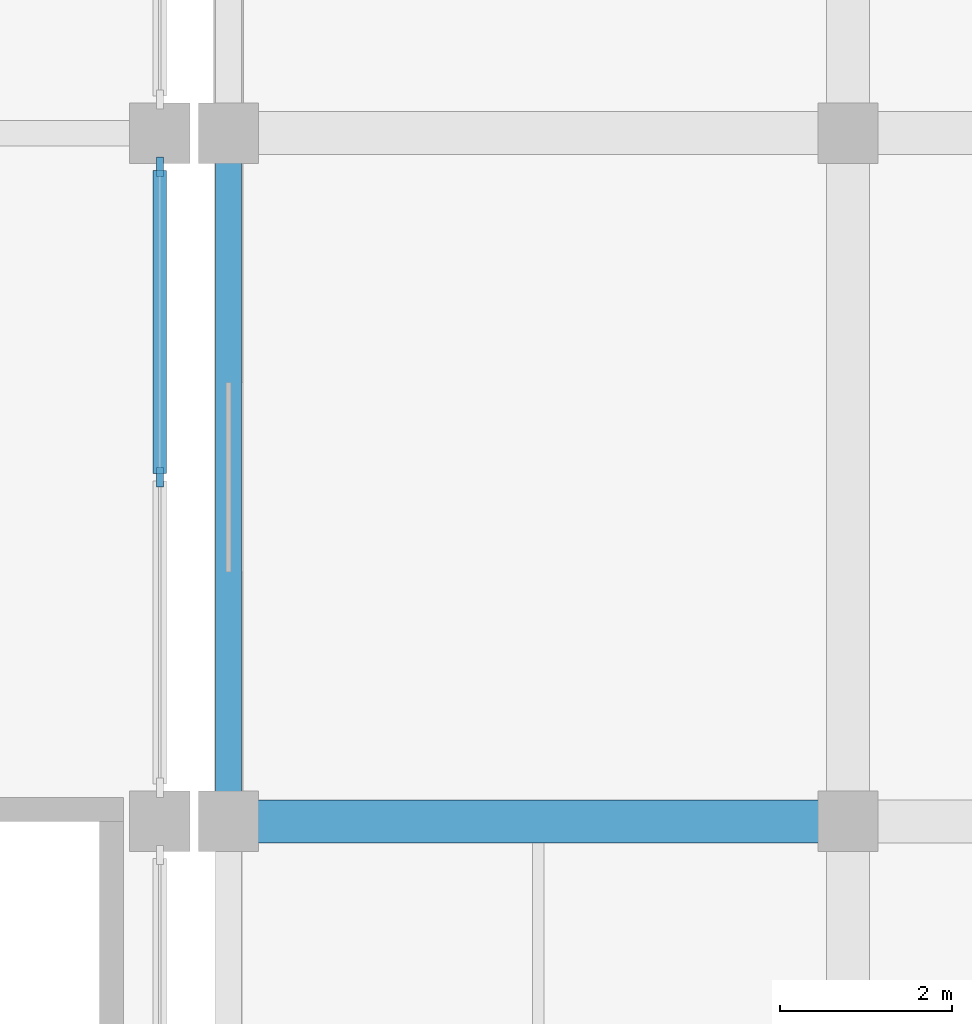
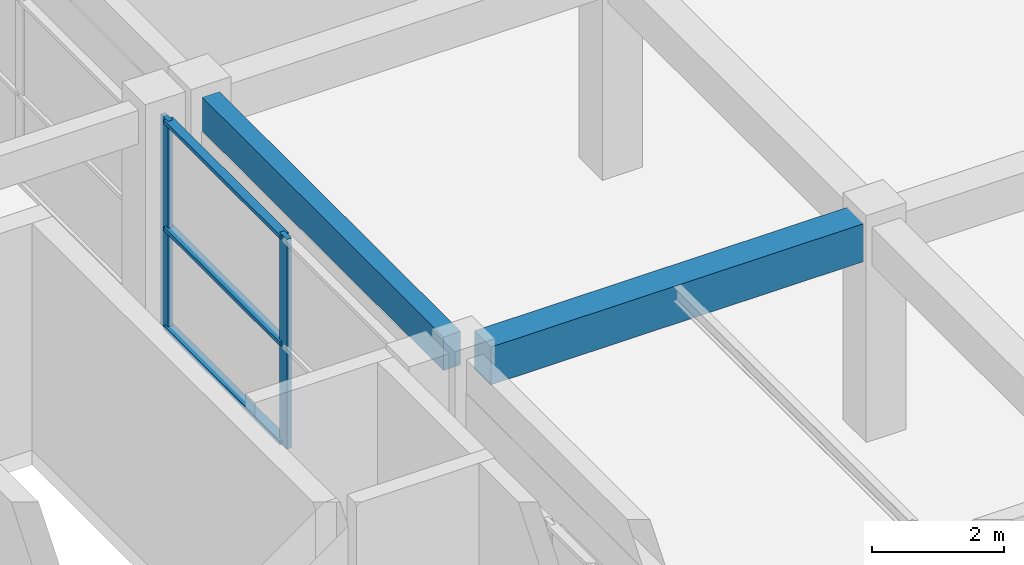
# One storey, part 13 of 67: 5 members, 2 beams, 1 element without a shape of its own.
"""IFC4 building model written with IfcOpenShell, lengths in metres."""

from ifc_helpers import new_model, si_unit, direction, frame, origin, origin_2d, place, context, subcontext, project, spatial, rectangle, extrude, material, material_profile, profile_set, type_object, element, aggregate, save


model = new_model("IFC4")

# Units and contexts
model_context = context("Model", 3, precision=1e-05, world=origin(), true_north=direction((0.0, 1.0)))
body_context = subcontext(model_context, "Body", "Model", "MODEL_VIEW")
ifc_project = project(units=[si_unit("LENGTHUNIT", "METRE"), si_unit("AREAUNIT", "SQUARE_METRE"), si_unit("VOLUMEUNIT", "CUBIC_METRE"), si_unit("PLANEANGLEUNIT", "RADIAN"), si_unit("MASSUNIT", "GRAM", prefix="KILO")], contexts=[model_context])

# Site, building, storey
site_placement = place(None, origin())
site = spatial("IfcSite", under=ifc_project, at=site_placement, CompositionType="ELEMENT")
building_placement = place(site_placement, origin())
building = spatial("IfcBuilding", under=site, at=building_placement, Name="Kenh Van Central Station", CompositionType="ELEMENT")
storey_placement = place(building_placement, frame((0.0, 0.0, 10.800048828125)))
storey = spatial("IfcBuildingStorey", under=building, at=storey_placement, Name="L02", CompositionType="ELEMENT", Elevation=10.800048828125)

# Beam
ifc_material_1 = material(Name="Concrete C35/45", Category="concrete")
ifc_material_profile_1 = material_profile(ifc_material_1, rectangle(XDim=0.5, YDim=0.699951171875, at=origin_2d()), Name="RC 500x700")
ifc_profile_set_1 = profile_set([ifc_material_profile_1], Name="Concrete C35/45")
beam_type_1 = type_object("IfcBeamType", Name="BM-RC-500x700", PredefinedType="BEAM", material=ifc_profile_set_1)
beam_1_placement = place(storey_placement, frame((121.139892578125, 24.0, 3.635009765625), z_axis=(1.0, 0.0, 0.0), x_axis=(0.0, 1.0, 0.0)))
element("IfcBeam", 1, at=beam_1_placement, inside=storey, type_object=beam_type_1, Name="L02 beam 0942", PredefinedType="BEAM", context=body_context, shape_type="SweptSolid", body=[
    extrude(rectangle(XDim=0.5, YDim=0.699951171875, at=origin_2d()), origin(), (0.0, 0.0, 1.0), 6.52001953125),
])

# Curtain wall, members
ifc_material_2 = material(Name="Champagne anodised aluminium", Category="aluminium")
curtain_wall_type = type_object("IfcCurtainWallType", Name="CW-CONC-B", PredefinedType="NOTDEFINED", material=ifc_material_2)
curtain_wall_placement = place(storey_placement, origin())
curtain_wall = element("IfcCurtainWall", 2, at=curtain_wall_placement, inside=storey, type_object=curtain_wall_type, Name="L02 curtain wall 178", PredefinedType="NOTDEFINED")
ifc_material_profile_2 = material_profile(ifc_material_2, rectangle(XDim=0.08203125, YDim=0.22509765625, at=origin_2d()), Name="AL 82x225")
ifc_profile_set_2 = profile_set([ifc_material_profile_2], Name="Champagne anodised aluminium")
member_type_1 = type_object("IfcMemberType", Name="CWM-70x180", PredefinedType="MULLION", material=ifc_profile_set_2)
member_1_placement = place(storey_placement, frame((120.0, 28.0, 0.0), z_axis=(0.0, 0.0, 1.0), x_axis=(-1.0, 0.0, 0.0)))
member_1 = element("IfcMember", 3, at=member_1_placement, type_object=member_type_1, Name="CW-04 mullion 2", PredefinedType="MULLION", context=body_context, shape_type="SweptSolid", body=[
    extrude(rectangle(XDim=0.08203125, YDim=0.22509765625, at=origin_2d()), origin(), (0.0, 0.0, 1.0), 3.8798828125),
])
member_2_placement = place(storey_placement, frame((120.0, 31.60888671875, 0.0), z_axis=(0.0, 0.0, 1.0), x_axis=(-1.0, 0.0, 0.0)))
member_2 = element("IfcMember", 4, at=member_2_placement, type_object=member_type_1, Name="CW-04 mullion 3", PredefinedType="MULLION", context=body_context, shape_type="SweptSolid", body=[
    extrude(rectangle(XDim=0.08203125, YDim=0.22509765625, at=origin_2d()), origin(), (0.0, 0.0, 1.0), 3.8798828125),
])
ifc_material_profile_3 = material_profile(ifc_material_2, rectangle(XDim=0.155029296875, YDim=0.072021484375, at=origin_2d()), Name="AL 155x72")
ifc_profile_set_3 = profile_set([ifc_material_profile_3], Name="Champagne anodised aluminium")
member_type_2 = type_object("IfcMemberType", Name="CWT-120x60", PredefinedType="USERDEFINED", material=ifc_profile_set_3)
member_3_placement = place(storey_placement, frame((120.0, 28.041015625, 0.035888671875), z_axis=(0.0, 1.0, 0.0), x_axis=(-1.0, 0.0, 0.0)))
member_3 = element("IfcMember", 5, at=member_3_placement, type_object=member_type_2, Name="CW-04 transom 2.1", ObjectType="TRANSOM", PredefinedType="USERDEFINED", context=body_context, shape_type="SweptSolid", body=[
    extrude(rectangle(XDim=0.155029296875, YDim=0.072021484375, at=origin_2d()), origin(), (0.0, 0.0, 1.0), 3.527099609375),
])
member_4_placement = place(storey_placement, frame((120.0, 28.041015625, 1.8623046875), z_axis=(0.0, 1.0, 0.0), x_axis=(-1.0, 0.0, 0.0)))
member_4 = element("IfcMember", 6, at=member_4_placement, type_object=member_type_2, Name="CW-04 transom 2.2", ObjectType="TRANSOM", PredefinedType="USERDEFINED", context=body_context, shape_type="SweptSolid", body=[
    extrude(rectangle(XDim=0.155029296875, YDim=0.072021484375, at=origin_2d()), origin(), (0.0, 0.0, 1.0), 3.527099609375),
])
member_5_placement = place(storey_placement, frame((120.0, 28.041015625, 3.843994140625), z_axis=(0.0, 1.0, 0.0), x_axis=(-1.0, 0.0, 0.0)))
member_5 = element("IfcMember", 7, at=member_5_placement, type_object=member_type_2, Name="CW-04 transom 2.3", ObjectType="TRANSOM", PredefinedType="USERDEFINED", context=body_context, shape_type="SweptSolid", body=[
    extrude(rectangle(XDim=0.155029296875, YDim=0.072021484375, at=origin_2d()), origin(), (0.0, 0.0, 1.0), 3.527099609375),
])
aggregate(curtain_wall, [member_1, member_2, member_3, member_4, member_5])

# Beam
ifc_material_profile_4 = material_profile(ifc_material_1, rectangle(XDim=0.300048828125, YDim=0.6201171875, at=origin_2d()), Name="RC 300x620")
ifc_profile_set_4 = profile_set([ifc_material_profile_4], Name="Concrete C35/45")
beam_type_2 = type_object("IfcBeamType", Name="SPD-RC-300x620", PredefinedType="SPANDREL", material=ifc_profile_set_4)
beam_2_placement = place(storey_placement, frame((120.800048828125, 24.340087890625, 3.675048828125), z_axis=(0.0, 1.0, 0.0), x_axis=(-1.0, 0.0, 0.0)))
element("IfcBeam", 8, at=beam_2_placement, inside=storey, type_object=beam_type_2, Name="L02 beam 1032", PredefinedType="SPANDREL", context=body_context, shape_type="SweptSolid", body=[
    extrude(rectangle(XDim=0.300048828125, YDim=0.6201171875, at=origin_2d()), origin(), (0.0, 0.0, 1.0), 7.31982421875),
])

save(model, "model.ifc")
